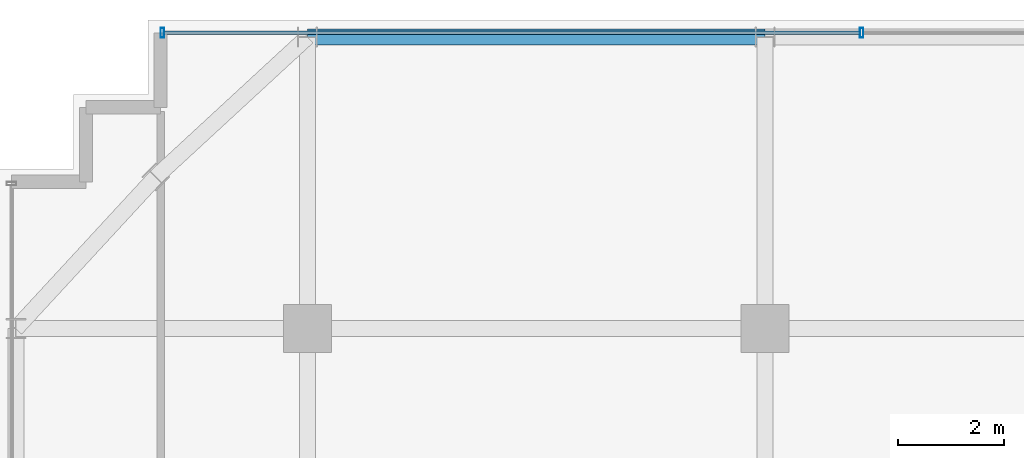
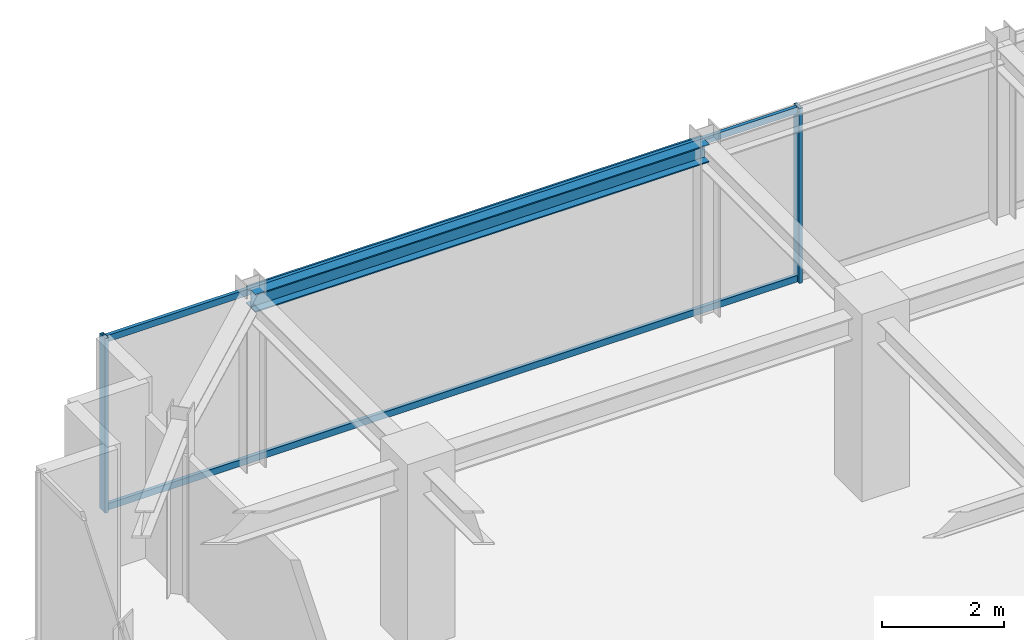
# One storey, part 19 of 33: 4 members, 1 beam, 1 element without a shape of its own.
"""IFC4 building model written with IfcOpenShell, lengths in metres."""

import ifcopenshell
import ifcopenshell.guid

model = None  # the IFC model being written
_history = None  # IfcOwnerHistory: only IFC2X3 demands one
_inside = {}  # id of a spatial element -> (the spatial element, [elements in it])
_under = {}  # id of a project, library or spatial element -> (it, [spatial elements below it])
_declared = {}  # id of a project -> (the project, [libraries it declares])
_typed = {}  # id of a type object -> (the type object, [elements of that type])
_made_of = {}  # id of a material, layer set ... -> (it, [elements and type objects made of it])


def new_model(schema):
    """Start an empty IFC model of exactly this schema.

    Asked for "IFC4X3", IfcOpenShell would pick the latest addendum, in which some entities
    have other attributes; the version numbers below select the first issue.
    IFC2X3 requires an IfcOwnerHistory on every rooted entity: one is made here for all.
    """
    global model, _history
    if schema == "IFC4X3":
        model = ifcopenshell.file(schema_version=(4, 3, 0, 0))
    else:
        model = ifcopenshell.file(schema=schema)
    _inside.clear()
    _under.clear()
    _declared.clear()
    _typed.clear()
    _made_of.clear()
    _history = None
    if model.schema == "IFC2X3":
        org = make("IfcOrganization", Name="unknown")
        user = make(
            "IfcPersonAndOrganization",
            ThePerson=make("IfcPerson", FamilyName="unknown"),
            TheOrganization=org,
        )
        app = make(
            "IfcApplication",
            ApplicationDeveloper=org,
            Version="unknown",
            ApplicationFullName="unknown",
            ApplicationIdentifier="unknown",
        )
        _history = make(
            "IfcOwnerHistory",
            OwningUser=user,
            OwningApplication=app,
            ChangeAction="ADDED",
            CreationDate=0,
        )
    return model


def make(cls, **values):
    """One entity of the class cls with the attributes given. An attribute that is None is left unset."""
    return model.create_entity(
        cls, **{name: value for name, value in values.items() if value is not None}
    )


def rooted(cls, **values):
    """An entity with a GlobalId (a new one), such as an element, a storey or a relation."""
    return make(cls, GlobalId=ifcopenshell.guid.new(), OwnerHistory=_history, **values)


def si_unit(unit_type, name, prefix=None):
    """IfcSIUnit, for example si_unit("LENGTHUNIT", "METRE", prefix="MILLI")."""
    return make("IfcSIUnit", UnitType=unit_type, Prefix=prefix, Name=name)


def assignment(units):
    """IfcUnitAssignment: the units of a project."""
    return None if units is None else make("IfcUnitAssignment", Units=units)


def point(xyz):
    """IfcCartesianPoint."""
    return None if xyz is None else make("IfcCartesianPoint", Coordinates=xyz)


def direction(xyz):
    """IfcDirection."""
    return None if xyz is None else make("IfcDirection", DirectionRatios=xyz)


def frame(location, z_axis=None, x_axis=None):
    """IfcAxis2Placement3D, a coordinate frame: its origin and axes. An axis left out is left unset."""
    return make(
        "IfcAxis2Placement3D",
        Location=point(location),
        Axis=direction(z_axis),
        RefDirection=direction(x_axis),
    )


def frame_2d(location, x_axis=None):
    """IfcAxis2Placement2D, a coordinate frame in the plane: its origin and x axis."""
    return make(
        "IfcAxis2Placement2D", Location=point(location), RefDirection=direction(x_axis)
    )


def origin():
    """The frame at (0, 0, 0) with its axes left unset."""
    return frame((0.0, 0.0, 0.0))


def origin_2d():
    """The frame at (0, 0) in the plane with its x axis left unset."""
    return frame_2d((0.0, 0.0))


def place(relative_to, where):
    """IfcLocalPlacement: puts the frame where relative to a parent placement (None: the world)."""
    return make(
        "IfcLocalPlacement", PlacementRelTo=relative_to, RelativePlacement=where
    )


def context(
    kind, dimensions, precision=None, world=None, true_north=None, identifier=None
):
    """IfcGeometricRepresentationContext, for example the 3D "Model" context."""
    return make(
        "IfcGeometricRepresentationContext",
        ContextIdentifier=identifier,
        ContextType=kind,
        CoordinateSpaceDimension=dimensions,
        Precision=precision,
        WorldCoordinateSystem=world,
        TrueNorth=true_north,
    )


def subcontext(parent, identifier, kind, view, scale=None):
    """IfcGeometricRepresentationSubContext, for example "Body" below "Model"."""
    return make(
        "IfcGeometricRepresentationSubContext",
        ContextIdentifier=identifier,
        ContextType=kind,
        ParentContext=parent,
        TargetScale=scale,
        TargetView=view,
    )


def project(units=None, contexts=None):
    """IfcProject with its units and contexts."""
    return rooted(
        "IfcProject",
        Name="project",
        RepresentationContexts=contexts,
        UnitsInContext=assignment(units),
    )


def spatial(cls, under=None, at=None, **own):
    """A site, building, storey or space (cls), placed at a placement, below another one or the project."""
    s = rooted(cls, ObjectPlacement=at, **own)
    if under is not None:
        _under.setdefault(under.id(), (under, []))[1].append(s)
    return s


def profile(cls, at=None, kind="AREA", **sizes):
    """A parametric profile (cls). Its sizes go by their IFC names, for example OverallWidth=200.0."""
    return make(cls, ProfileType=kind, Position=at, **sizes)


def hollow_rectangle(**sizes):
    """IfcRectangleHollowProfileDef."""
    return profile("IfcRectangleHollowProfileDef", **sizes)


def i_section(**sizes):
    """IfcIShapeProfileDef."""
    return profile("IfcIShapeProfileDef", **sizes)


def extrude(swept, where, along, depth):
    """IfcExtrudedAreaSolid: the profile swept, set in the frame where, extruded along a direction by depth."""
    return make(
        "IfcExtrudedAreaSolid",
        SweptArea=swept,
        Position=where,
        ExtrudedDirection=direction(along),
        Depth=depth,
    )


def shape(context_of_items, identifier, shape_type, items):
    """IfcShapeRepresentation: the items that make up one representation, for example the "Body"."""
    return make(
        "IfcShapeRepresentation",
        ContextOfItems=context_of_items,
        RepresentationIdentifier=identifier,
        RepresentationType=shape_type,
        Items=items,
    )


def source(mapping_origin, context_of_items, identifier, shape_type, items):
    """IfcRepresentationMap: a shape defined once, which mapped items show again and again."""
    return make(
        "IfcRepresentationMap",
        MappingOrigin=mapping_origin,
        MappedRepresentation=shape(context_of_items, identifier, shape_type, items),
    )


def transform(
    local_origin,
    x_axis=None,
    y_axis=None,
    z_axis=None,
    scale=None,
    scale2=None,
    scale3=None,
    uniform=True,
):
    """IfcCartesianTransformationOperator3D, or its non-uniform kind. x_axis, y_axis, z_axis: its Axis1, 2, 3."""
    if uniform:
        return make(
            "IfcCartesianTransformationOperator3D",
            Axis1=direction(x_axis),
            Axis2=direction(y_axis),
            LocalOrigin=point(local_origin),
            Scale=scale,
            Axis3=direction(z_axis),
        )
    return make(
        "IfcCartesianTransformationOperator3DnonUniform",
        Axis1=direction(x_axis),
        Axis2=direction(y_axis),
        LocalOrigin=point(local_origin),
        Scale=scale,
        Axis3=direction(z_axis),
        Scale2=scale2,
        Scale3=scale3,
    )


def mapped(mapping_source, mapping_target):
    """IfcMappedItem: shows the shape of a source again, moved by a transform."""
    return make(
        "IfcMappedItem", MappingSource=mapping_source, MappingTarget=mapping_target
    )


def material(Name=None, Category=None):
    """IfcMaterial."""
    return make("IfcMaterial", Name=Name, Category=Category)


def material_profile(
    of_material, cross_section, Name=None, Category=None, Priority=None
):
    """IfcMaterialProfile: a cross section and its material."""
    return make(
        "IfcMaterialProfile",
        Name=Name,
        Material=of_material,
        Profile=cross_section,
        Priority=Priority,
        Category=Category,
    )


def profile_set(profiles, Name=None, composite=None):
    """IfcMaterialProfileSet."""
    return make(
        "IfcMaterialProfileSet",
        Name=Name,
        MaterialProfiles=profiles,
        CompositeProfile=composite,
    )


def made_of(thing, what):
    """Note that an element or type object is made of a material, layer set ...; save() writes the relation."""
    if what is not None:
        _made_of.setdefault(what.id(), (what, []))[1].append(thing)
    return thing


def type_object(cls, material=None, **own):
    """A type object (cls), such as IfcWallType, which elements share."""
    return made_of(rooted(cls, **own), material)


def element(
    cls,
    number,
    at=None,
    inside=None,
    cuts=None,
    type_object=None,
    material=None,
    context=None,
    identifier="Body",
    shape_type=None,
    held_by="IfcProductDefinitionShape",
    body=None,
    shapes=None,
    **own,
):
    """One element of the class cls, such as IfcWall. Its Tag is "e" and its number.

    at: its placement. inside: the storey or other place that contains it. cuts: it is an
    opening in that element (IfcRelVoidsElement). A single representation is given by context,
    identifier, shape_type and body (its items); several are given by shapes. held_by: the class
    of the entity that holds the representations. save() writes the other relations.
    """
    e = rooted(cls, Tag="e%d" % number, ObjectPlacement=at, **own)
    if body is not None:
        shapes = [shape(context, identifier, shape_type, body)]
    if shapes is not None:
        e.Representation = make(held_by, Representations=shapes)
    if inside is not None:
        _inside.setdefault(inside.id(), (inside, []))[1].append(e)
    if cuts is not None:
        rooted(
            "IfcRelVoidsElement", RelatingBuildingElement=cuts, RelatedOpeningElement=e
        )
    if type_object is not None:
        _typed.setdefault(type_object.id(), (type_object, []))[1].append(e)
    return made_of(e, material)


def aggregate(whole, parts):
    """IfcRelAggregates: a whole, such as a stair, and the parts it consists of."""
    return rooted("IfcRelAggregates", RelatingObject=whole, RelatedObjects=parts)


def save(model, path):
    """Write the relations noted so far, then the file.

    IfcRelAggregates (storeys below a building ...), IfcRelContainedInSpatialStructure (elements
    in a storey), IfcRelDefinesByType, IfcRelAssociatesMaterial and IfcRelDeclares: one each for
    every whole, place, type object, material and project.
    """
    for whole, parts in _under.values():
        aggregate(whole, parts)
    for where, things in _inside.values():
        rooted(
            "IfcRelContainedInSpatialStructure",
            RelatedElements=things,
            RelatingStructure=where,
        )
    for kind, things in _typed.values():
        rooted("IfcRelDefinesByType", RelatedObjects=things, RelatingType=kind)
    for what, things in _made_of.values():
        rooted("IfcRelAssociatesMaterial", RelatedObjects=things, RelatingMaterial=what)
    for by, libraries in _declared.values():
        rooted("IfcRelDeclares", RelatingContext=by, RelatedDefinitions=libraries)
    model.write(path)


model = new_model("IFC4")

# Units and contexts
model_context = context("Model", 3, precision=1e-05, world=origin(), true_north=direction((0.0, 1.0)))
body_context = subcontext(model_context, "Body", "Model", "MODEL_VIEW")
ifc_project = project(units=[si_unit("LENGTHUNIT", "METRE"), si_unit("AREAUNIT", "SQUARE_METRE"), si_unit("VOLUMEUNIT", "CUBIC_METRE"), si_unit("PLANEANGLEUNIT", "RADIAN"), si_unit("MASSUNIT", "GRAM", prefix="KILO")], contexts=[model_context])

# Site, building, storey
site_placement = place(None, origin())
site = spatial("IfcSite", under=ifc_project, at=site_placement, CompositionType="ELEMENT")
building_placement = place(site_placement, origin())
building = spatial("IfcBuilding", under=site, at=building_placement, Name="Nahalor Promenade Grand Hotel", CompositionType="ELEMENT")
storey_placement = place(building_placement, frame((0.0, 0.0, 315.75)))
storey = spatial("IfcBuildingStorey", under=building, at=storey_placement, Name="L81", CompositionType="ELEMENT", Elevation=315.75)

# Beam
ifc_material_1 = material(Name="Steel S355JR", Category="steel")
ifc_material_profile_1 = material_profile(ifc_material_1, i_section(OverallWidth=0.3, OverallDepth=0.36, WebThickness=0.0125, FlangeThickness=0.0225, at=origin_2d()), Name="HEB 360")
ifc_profile_set_1 = profile_set([ifc_material_profile_1], Name="Steel S355JR")
beam_type = type_object("IfcBeamType", Name="Beam-Spandrel-HEB360", PredefinedType="SPANDREL", material=ifc_profile_set_1)
shared_shape_1 = source(origin(), body_context, "Body", "SweptSolid", [
    extrude(i_section(OverallWidth=0.3, OverallDepth=0.36, WebThickness=0.0125, FlangeThickness=0.0225, at=origin_2d()), origin(), (0.0, 0.0, 1.0), 8.60009765625),
])
beam_placement = place(storey_placement, frame((-17.0, 22.47998046875, 3.320068359375), z_axis=(1.0, 0.0, 0.0), x_axis=(0.0, 1.0, 0.0)))
element("IfcBeam", 1, at=beam_placement, inside=storey, type_object=beam_type, Name="BM-L81-SP-N-0", PredefinedType="SPANDREL", context=body_context, shape_type="MappedRepresentation", body=[
    mapped(shared_shape_1, transform((0.0, 0.0, 0.0), scale=1.0)),
])

# Curtain wall, members
ifc_material_2 = material(Name="Anodised Bronze Aluminium EN AW-6063 T6", Category="aluminium")
curtain_wall_type = type_object("IfcCurtainWallType", Name="CW2 Typical Hotel Flush Bronze Unitised Curtain Wall", PredefinedType="USERDEFINED", material=ifc_material_2)
curtain_wall_placement = place(storey_placement, origin())
curtain_wall = element("IfcCurtainWall", 2, at=curtain_wall_placement, inside=storey, type_object=curtain_wall_type, Name="L81 Curtain Wall CW-L81-N-1", ObjectType="UNITISED_CURTAIN_WALL", PredefinedType="USERDEFINED")
ifc_material_profile_2 = material_profile(ifc_material_2, hollow_rectangle(XDim=0.065, YDim=0.13, WallThickness=0.004, at=origin_2d()), Name="CWT 65x130x4")
ifc_profile_set_2 = profile_set([ifc_material_profile_2], Name="Anodised Bronze Aluminium EN AW-6063 T6")
member_type_1 = type_object("IfcMemberType", Name="CWT2 Typical Bronze Transom 65x130", PredefinedType="USERDEFINED", material=ifc_profile_set_2)
shared_shape_2 = source(origin(), body_context, "Body", "SweptSolid", [
    extrude(hollow_rectangle(XDim=0.065, YDim=0.13, WallThickness=0.004, at=origin_2d()), origin(), (0.0, 0.0, 1.0), 13.075927734375),
])
member_1_placement = place(storey_placement, frame((-19.695068359375, 22.56005859375, 0.06494140625), z_axis=(1.0, 0.0, 0.0), x_axis=(0.0, 1.0, 0.0)))
member_1 = element("IfcMember", 3, at=member_1_placement, type_object=member_type_1, Name="CW-L81-N-1 Transom 0-0", ObjectType="TRANSOM", PredefinedType="USERDEFINED", context=body_context, shape_type="MappedRepresentation", body=[
    mapped(shared_shape_2, transform((0.0, 0.0, 0.0), scale=1.0)),
])
member_2_placement = place(storey_placement, frame((-19.695068359375, 22.56005859375, 3.43505859375), z_axis=(1.0, 0.0, 0.0), x_axis=(0.0, 1.0, 0.0)))
member_2 = element("IfcMember", 4, at=member_2_placement, type_object=member_type_1, Name="CW-L81-N-1 Transom 0-1", ObjectType="TRANSOM", PredefinedType="USERDEFINED", context=body_context, shape_type="MappedRepresentation", body=[
    mapped(shared_shape_2, transform((0.0, 0.0, 0.0), scale=1.0)),
])
ifc_material_profile_3 = material_profile(ifc_material_2, hollow_rectangle(XDim=0.065, YDim=0.18, WallThickness=0.004, at=origin_2d()), Name="CWM 65x180x4")
ifc_profile_set_3 = profile_set([ifc_material_profile_3], Name="Anodised Bronze Aluminium EN AW-6063 T6")
member_type_2 = type_object("IfcMemberType", Name="CWM2 Typical Bronze Mullion 65x180", PredefinedType="MULLION", material=ifc_profile_set_3)
shared_shape_3 = source(origin(), body_context, "Body", "SweptSolid", [
    extrude(hollow_rectangle(XDim=0.065, YDim=0.18, WallThickness=0.004, at=origin_2d()), origin(), (0.0, 0.0, 1.0), 3.5),
])
member_3_placement = place(storey_placement, frame((-19.7275390625, 22.56005859375, 0.0), z_axis=(0.0, 0.0, 1.0), x_axis=(1.0, 0.0, 0.0)))
member_3 = element("IfcMember", 5, at=member_3_placement, type_object=member_type_2, Name="CW-L81-N-1 Mullion 0", PredefinedType="MULLION", context=body_context, shape_type="MappedRepresentation", body=[
    mapped(shared_shape_3, transform((0.0, 0.0, 0.0), scale=1.0)),
])
member_4_placement = place(storey_placement, frame((-6.586669921875, 22.56005859375, 0.0), z_axis=(0.0, 0.0, 1.0), x_axis=(1.0, 0.0, 0.0)))
member_4 = element("IfcMember", 6, at=member_4_placement, type_object=member_type_2, Name="CW-L81-N-1 Mullion 1", PredefinedType="MULLION", context=body_context, shape_type="MappedRepresentation", body=[
    mapped(shared_shape_3, transform((0.0, 0.0, 0.0), scale=1.0)),
])
aggregate(curtain_wall, [member_3, member_4, member_1, member_2])

save(model, "model.ifc")
